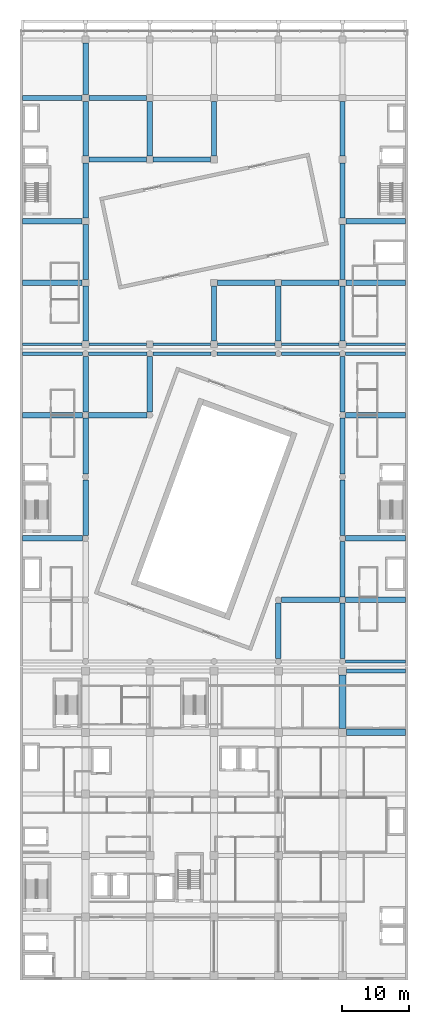
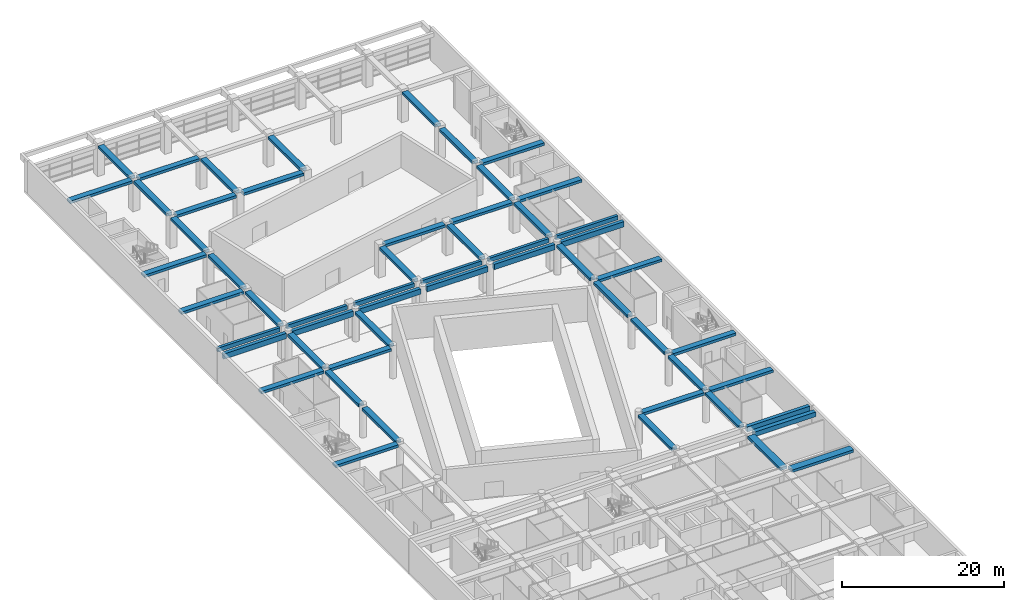
# One storey, part 2 of 31: 56 beams.
"""IFC4 building model written with IfcOpenShell, lengths in metres."""

from ifc_helpers import new_model, si_unit, direction, frame, origin, origin_2d, place, context, subcontext, project, spatial, rectangle, extrude, material, material_profile, profile_set, type_object, element, save


model = new_model("IFC4")

# Units and contexts
model_context = context("Model", 3, precision=1e-05, world=origin(), true_north=direction((0.0, 1.0)))
body_context = subcontext(model_context, "Body", "Model", "MODEL_VIEW")
ifc_project = project(units=[si_unit("LENGTHUNIT", "METRE"), si_unit("AREAUNIT", "SQUARE_METRE"), si_unit("VOLUMEUNIT", "CUBIC_METRE"), si_unit("PLANEANGLEUNIT", "RADIAN"), si_unit("MASSUNIT", "GRAM", prefix="KILO")], contexts=[model_context])

# Site, building, storey
site_placement = place(None, origin())
site = spatial("IfcSite", under=ifc_project, at=site_placement, CompositionType="ELEMENT")
building_placement = place(site_placement, origin())
building = spatial("IfcBuilding", under=site, at=building_placement, Name="Nzadi Deep Aquarium and Research Tower", CompositionType="ELEMENT")
storey_placement = place(building_placement, frame((0.0, 0.0, 21.699951171875)))
storey = spatial("IfcBuildingStorey", under=building, at=storey_placement, Name="L03", CompositionType="ELEMENT", Elevation=21.699951171875)

# Beams
ifc_material_1 = material(Name="Concrete C35/45", Category="concrete")
ifc_material_profile_1 = material_profile(ifc_material_1, rectangle(XDim=1.0, YDim=0.39990234375, at=origin_2d()))
ifc_profile_set_1 = profile_set([ifc_material_profile_1], Name="Concrete C35/45")
beam_type_1 = type_object("IfcBeamType", Name="RC 1000x400", PredefinedType="BEAM", material=ifc_profile_set_1)
beam_1_placement = place(storey_placement, frame((48.60009765625, 36.800048828125, 4.449951171875), z_axis=(1.0, 0.0, 0.0), x_axis=(0.0, 1.0, 0.0)))
element("IfcBeam", 1, at=beam_1_placement, inside=storey, type_object=beam_type_1, Name="B-Z1-L03-L5-6", PredefinedType="BEAM", context=body_context, shape_type="SweptSolid", body=[
    extrude(rectangle(XDim=1.0, YDim=0.39990234375, at=origin_2d()), origin(), (0.0, 0.0, 1.0), 8.7998046875),
])
beam_2_placement = place(storey_placement, frame((48.0, 37.39990234375, 4.449951171875), z_axis=(0.0, 1.0, 0.0), x_axis=(-1.0, 0.0, 0.0)))
element("IfcBeam", 2, at=beam_2_placement, inside=storey, type_object=beam_type_1, Name="B-Z1-L03-CF-5-1", PredefinedType="BEAM", context=body_context, shape_type="SweptSolid", body=[
    extrude(rectangle(XDim=1.0, YDim=0.39990234375, at=origin_2d()), origin(), (0.0, 0.0, 1.0), 8.0),
])
ifc_material_2 = material(Name="Concrete C35/45", Category="concrete")
ifc_material_profile_2 = material_profile(ifc_material_2, rectangle(XDim=0.39990234375, YDim=0.60009765625, at=origin_2d()))
ifc_profile_set_2 = profile_set([ifc_material_profile_2], Name="Concrete C35/45")
beam_type_2 = type_object("IfcBeamType", Name="RC 400x600", PredefinedType="BEAM", material=ifc_profile_set_2)
beam_3_placement = place(storey_placement, frame((0.199951171875, 94.800048828125, 4.35009765625), z_axis=(1.0, 0.0, 0.0), x_axis=(0.0, 1.0, 0.0)))
element("IfcBeam", 3, at=beam_3_placement, inside=storey, type_object=beam_type_2, Name="B-Z3-L03-L13-1", PredefinedType="BEAM", context=body_context, shape_type="SweptSolid", body=[
    extrude(rectangle(XDim=0.39990234375, YDim=0.60009765625, at=origin_2d()), origin(), (0.0, 0.0, 1.0), 8.900146484375),
])
beam_4_placement = place(storey_placement, frame((10.10009765625, 94.800048828125, 4.35009765625), z_axis=(1.0, 0.0, 0.0), x_axis=(0.0, 1.0, 0.0)))
element("IfcBeam", 4, at=beam_4_placement, inside=storey, type_object=beam_type_2, Name="B-Z3-L03-L13-2", PredefinedType="BEAM", context=body_context, shape_type="SweptSolid", body=[
    extrude(rectangle(XDim=0.39990234375, YDim=0.60009765625, at=origin_2d()), origin(), (0.0, 0.0, 1.0), 8.599853515625),
])
beam_5_placement = place(storey_placement, frame((19.699951171875, 94.800048828125, 4.35009765625), z_axis=(1.0, 0.0, 0.0), x_axis=(0.0, 1.0, 0.0)))
element("IfcBeam", 5, at=beam_5_placement, inside=storey, type_object=beam_type_2, Name="B-Z3-L03-L13-3", PredefinedType="BEAM", context=body_context, shape_type="SweptSolid", body=[
    extrude(rectangle(XDim=0.39990234375, YDim=0.60009765625, at=origin_2d()), origin(), (0.0, 0.0, 1.0), 8.60009765625),
])
beam_6_placement = place(storey_placement, frame((29.300048828125, 94.800048828125, 4.35009765625), z_axis=(1.0, 0.0, 0.0), x_axis=(0.0, 1.0, 0.0)))
element("IfcBeam", 6, at=beam_6_placement, inside=storey, type_object=beam_type_2, Name="B-Z3-L03-L13-4", PredefinedType="BEAM", context=body_context, shape_type="SweptSolid", body=[
    extrude(rectangle(XDim=0.39990234375, YDim=0.60009765625, at=origin_2d()), origin(), (0.0, 0.0, 1.0), 8.599853515625),
])
beam_7_placement = place(storey_placement, frame((38.89990234375, 94.800048828125, 4.35009765625), z_axis=(1.0, 0.0, 0.0), x_axis=(0.0, 1.0, 0.0)))
element("IfcBeam", 7, at=beam_7_placement, inside=storey, type_object=beam_type_2, Name="B-Z3-L03-L13-5", PredefinedType="BEAM", context=body_context, shape_type="SweptSolid", body=[
    extrude(rectangle(XDim=0.39990234375, YDim=0.60009765625, at=origin_2d()), origin(), (0.0, 0.0, 1.0), 8.60009765625),
])
beam_8_placement = place(storey_placement, frame((48.5, 94.800048828125, 4.35009765625), z_axis=(1.0, 0.0, 0.0), x_axis=(0.0, 1.0, 0.0)))
element("IfcBeam", 8, at=beam_8_placement, inside=storey, type_object=beam_type_2, Name="B-Z3-L03-L13-6", PredefinedType="BEAM", context=body_context, shape_type="SweptSolid", body=[
    extrude(rectangle(XDim=0.39990234375, YDim=0.60009765625, at=origin_2d()), origin(), (0.0, 0.0, 1.0), 8.89990234375),
])
ifc_material_3 = material(Name="Concrete C40/50", Category="concrete")
ifc_material_profile_3 = material_profile(ifc_material_3, rectangle(XDim=0.5, YDim=0.800048828125, at=origin_2d()))
ifc_profile_set_3 = profile_set([ifc_material_profile_3], Name="Concrete C40/50")
beam_type_3 = type_object("IfcBeamType", Name="RC 500x800", PredefinedType="BEAM", material=ifc_profile_set_3)
for number, where, z_axis, x_axis, name in (
    (9, (48.449951171875, 47.39990234375, 4.25), (1.0, 0.0, 0.0), (0.0, 1.0, 0.0), "B-Z2-L03-L7-6"),
    (10, (0.199951171875, 93.39990234375, 4.25), (1.0, 0.0, 0.0), (0.0, 1.0, 0.0), "B-Z2-L03-L12-1"),
):
    element("IfcBeam", number, at=place(storey_placement, frame(where, z_axis=z_axis, x_axis=x_axis)), inside=storey, type_object=beam_type_3, Name=name, PredefinedType="BEAM", context=body_context, shape_type="SweptSolid", body=[
        extrude(rectangle(XDim=0.5, YDim=0.800048828125, at=origin_2d()), origin(), (0.0, 0.0, 1.0), 8.949951171875),
    ])
beam_9_placement = place(storey_placement, frame((10.050048828125, 93.39990234375, 4.25), z_axis=(1.0, 0.0, 0.0), x_axis=(0.0, 1.0, 0.0)))
element("IfcBeam", 11, at=beam_9_placement, inside=storey, type_object=beam_type_3, Name="B-Z2-L03-L12-2", PredefinedType="BEAM", context=body_context, shape_type="SweptSolid", body=[
    extrude(rectangle(XDim=0.5, YDim=0.800048828125, at=origin_2d()), origin(), (0.0, 0.0, 1.0), 8.699951171875),
])
beam_10_placement = place(storey_placement, frame((19.64990234375, 93.39990234375, 4.25), z_axis=(1.0, 0.0, 0.0), x_axis=(0.0, 1.0, 0.0)))
element("IfcBeam", 12, at=beam_10_placement, inside=storey, type_object=beam_type_3, Name="B-Z2-L03-L12-3", PredefinedType="BEAM", context=body_context, shape_type="SweptSolid", body=[
    extrude(rectangle(XDim=0.5, YDim=0.800048828125, at=origin_2d()), origin(), (0.0, 0.0, 1.0), 8.7001953125),
])
for number, where, z_axis, x_axis, name in (
    (13, (29.25, 93.39990234375, 4.25), (1.0, 0.0, 0.0), (0.0, 1.0, 0.0), "B-Z2-L03-L12-4"),
    (14, (38.85009765625, 93.39990234375, 4.25), (1.0, 0.0, 0.0), (0.0, 1.0, 0.0), "B-Z2-L03-L12-5"),
):
    element("IfcBeam", number, at=place(storey_placement, frame(where, z_axis=z_axis, x_axis=x_axis)), inside=storey, type_object=beam_type_3, Name=name, PredefinedType="BEAM", context=body_context, shape_type="SweptSolid", body=[
        extrude(rectangle(XDim=0.5, YDim=0.800048828125, at=origin_2d()), origin(), (0.0, 0.0, 1.0), 8.699951171875),
    ])
beam_11_placement = place(storey_placement, frame((48.449951171875, 93.39990234375, 4.25), z_axis=(1.0, 0.0, 0.0), x_axis=(0.0, 1.0, 0.0)))
element("IfcBeam", 15, at=beam_11_placement, inside=storey, type_object=beam_type_3, Name="B-Z2-L03-L12-6", PredefinedType="BEAM", context=body_context, shape_type="SweptSolid", body=[
    extrude(rectangle(XDim=0.5, YDim=0.800048828125, at=origin_2d()), origin(), (0.0, 0.0, 1.0), 8.949951171875),
])
ifc_material_4 = material(Name="Concrete C35/45", Category="concrete")
ifc_material_profile_4 = material_profile(ifc_material_4, rectangle(XDim=0.60009765625, YDim=0.699951171875, at=origin_2d()))
ifc_profile_set_4 = profile_set([ifc_material_profile_4], Name="Concrete C35/45")
beam_type_4 = type_object("IfcBeamType", Name="RC 600x700", PredefinedType="BEAM", material=ifc_profile_set_4)
beam_12_placement = place(storey_placement, frame((48.60009765625, 46.0, 4.300048828125), z_axis=(1.0, 0.0, 0.0), x_axis=(0.0, 1.0, 0.0)))
element("IfcBeam", 16, at=beam_12_placement, inside=storey, type_object=beam_type_4, Name="B-Z1-L03-L6-6", PredefinedType="BEAM", context=body_context, shape_type="SweptSolid", body=[
    extrude(rectangle(XDim=0.60009765625, YDim=0.699951171875, at=origin_2d()), origin(), (0.0, 0.0, 1.0), 8.7998046875),
])
ifc_material_5 = material(Name="Concrete C35/45", Category="concrete")
ifc_material_profile_5 = material_profile(ifc_material_5, rectangle(XDim=0.800048828125, YDim=0.39990234375, at=origin_2d()))
ifc_profile_set_5 = profile_set([ifc_material_profile_5], Name="Concrete C35/45")
beam_type_5 = type_object("IfcBeamType", Name="RC 800x400", PredefinedType="BEAM", material=ifc_profile_set_5)
beam_13_placement = place(storey_placement, frame((38.85009765625, 56.60009765625, 4.449951171875), z_axis=(1.0, 0.0, 0.0), x_axis=(0.0, 1.0, 0.0)))
element("IfcBeam", 17, at=beam_13_placement, inside=storey, type_object=beam_type_5, Name="B-Z2-L03-L8-5", PredefinedType="BEAM", context=body_context, shape_type="SweptSolid", body=[
    extrude(rectangle(XDim=0.800048828125, YDim=0.39990234375, at=origin_2d()), origin(), (0.0, 0.0, 1.0), 8.699951171875),
])
for number, where, z_axis, x_axis, name in (
    (18, (48.449951171875, 56.60009765625, 4.449951171875), (1.0, 0.0, 0.0), (0.0, 1.0, 0.0), "B-Z2-L03-L8-6"),
    (19, (0.199951171875, 65.800048828125, 4.449951171875), (1.0, 0.0, 0.0), (0.0, 1.0, 0.0), "B-Z2-L03-L9-1"),
    (20, (48.449951171875, 65.800048828125, 4.449951171875), (1.0, 0.0, 0.0), (0.0, 1.0, 0.0), "B-Z2-L03-L9-6"),
    (21, (0.199951171875, 84.199951171875, 4.449951171875), (1.0, 0.0, 0.0), (0.0, 1.0, 0.0), "B-Z2-L03-L11-1"),
):
    element("IfcBeam", number, at=place(storey_placement, frame(where, z_axis=z_axis, x_axis=x_axis)), inside=storey, type_object=beam_type_5, Name=name, PredefinedType="BEAM", context=body_context, shape_type="SweptSolid", body=[
        extrude(rectangle(XDim=0.800048828125, YDim=0.39990234375, at=origin_2d()), origin(), (0.0, 0.0, 1.0), 8.949951171875),
    ])
beam_14_placement = place(storey_placement, frame((10.050048828125, 84.199951171875, 4.449951171875), z_axis=(1.0, 0.0, 0.0), x_axis=(0.0, 1.0, 0.0)))
element("IfcBeam", 22, at=beam_14_placement, inside=storey, type_object=beam_type_5, Name="B-Z2-L03-L11-2", PredefinedType="BEAM", context=body_context, shape_type="SweptSolid", body=[
    extrude(rectangle(XDim=0.800048828125, YDim=0.39990234375, at=origin_2d()), origin(), (0.0, 0.0, 1.0), 8.699951171875),
])
beam_15_placement = place(storey_placement, frame((48.449951171875, 84.199951171875, 4.449951171875), z_axis=(1.0, 0.0, 0.0), x_axis=(0.0, 1.0, 0.0)))
element("IfcBeam", 23, at=beam_15_placement, inside=storey, type_object=beam_type_5, Name="B-Z2-L03-L11-6", PredefinedType="BEAM", context=body_context, shape_type="SweptSolid", body=[
    extrude(rectangle(XDim=0.800048828125, YDim=0.39990234375, at=origin_2d()), origin(), (0.0, 0.0, 1.0), 8.949951171875),
])
beam_16_placement = place(storey_placement, frame((0.199951171875, 104.0, 4.449951171875), z_axis=(1.0, 0.0, 0.0), x_axis=(0.0, 1.0, 0.0)))
element("IfcBeam", 24, at=beam_16_placement, inside=storey, type_object=beam_type_5, Name="B-Z3-L03-L14-1", PredefinedType="BEAM", context=body_context, shape_type="SweptSolid", body=[
    extrude(rectangle(XDim=0.800048828125, YDim=0.39990234375, at=origin_2d()), origin(), (0.0, 0.0, 1.0), 8.900146484375),
])
beam_17_placement = place(storey_placement, frame((29.300048828125, 104.0, 4.449951171875), z_axis=(1.0, 0.0, 0.0), x_axis=(0.0, 1.0, 0.0)))
element("IfcBeam", 25, at=beam_17_placement, inside=storey, type_object=beam_type_5, Name="B-Z3-L03-L14-4", PredefinedType="BEAM", context=body_context, shape_type="SweptSolid", body=[
    extrude(rectangle(XDim=0.800048828125, YDim=0.39990234375, at=origin_2d()), origin(), (0.0, 0.0, 1.0), 8.599853515625),
])
beam_18_placement = place(storey_placement, frame((38.89990234375, 104.0, 4.449951171875), z_axis=(1.0, 0.0, 0.0), x_axis=(0.0, 1.0, 0.0)))
element("IfcBeam", 26, at=beam_18_placement, inside=storey, type_object=beam_type_5, Name="B-Z3-L03-L14-5", PredefinedType="BEAM", context=body_context, shape_type="SweptSolid", body=[
    extrude(rectangle(XDim=0.800048828125, YDim=0.39990234375, at=origin_2d()), origin(), (0.0, 0.0, 1.0), 8.60009765625),
])
beam_19_placement = place(storey_placement, frame((48.5, 104.0, 4.449951171875), z_axis=(1.0, 0.0, 0.0), x_axis=(0.0, 1.0, 0.0)))
element("IfcBeam", 27, at=beam_19_placement, inside=storey, type_object=beam_type_5, Name="B-Z3-L03-L14-6", PredefinedType="BEAM", context=body_context, shape_type="SweptSolid", body=[
    extrude(rectangle(XDim=0.800048828125, YDim=0.39990234375, at=origin_2d()), origin(), (0.0, 0.0, 1.0), 8.89990234375),
])
beam_20_placement = place(storey_placement, frame((0.199951171875, 113.199951171875, 4.449951171875), z_axis=(1.0, 0.0, 0.0), x_axis=(0.0, 1.0, 0.0)))
element("IfcBeam", 28, at=beam_20_placement, inside=storey, type_object=beam_type_5, Name="B-Z3-L03-L15-1", PredefinedType="BEAM", context=body_context, shape_type="SweptSolid", body=[
    extrude(rectangle(XDim=0.800048828125, YDim=0.39990234375, at=origin_2d()), origin(), (0.0, 0.0, 1.0), 8.900146484375),
])
beam_21_placement = place(storey_placement, frame((48.5, 113.199951171875, 4.449951171875), z_axis=(1.0, 0.0, 0.0), x_axis=(0.0, 1.0, 0.0)))
element("IfcBeam", 29, at=beam_21_placement, inside=storey, type_object=beam_type_5, Name="B-Z3-L03-L15-6", PredefinedType="BEAM", context=body_context, shape_type="SweptSolid", body=[
    extrude(rectangle(XDim=0.800048828125, YDim=0.39990234375, at=origin_2d()), origin(), (0.0, 0.0, 1.0), 8.89990234375),
])
beam_22_placement = place(storey_placement, frame((10.10009765625, 122.39990234375, 4.449951171875), z_axis=(1.0, 0.0, 0.0), x_axis=(0.0, 1.0, 0.0)))
element("IfcBeam", 30, at=beam_22_placement, inside=storey, type_object=beam_type_5, Name="B-Z3-L03-L16-2", PredefinedType="BEAM", context=body_context, shape_type="SweptSolid", body=[
    extrude(rectangle(XDim=0.800048828125, YDim=0.39990234375, at=origin_2d()), origin(), (0.0, 0.0, 1.0), 8.599853515625),
])
beam_23_placement = place(storey_placement, frame((19.699951171875, 122.39990234375, 4.449951171875), z_axis=(1.0, 0.0, 0.0), x_axis=(0.0, 1.0, 0.0)))
element("IfcBeam", 31, at=beam_23_placement, inside=storey, type_object=beam_type_5, Name="B-Z3-L03-L16-3", PredefinedType="BEAM", context=body_context, shape_type="SweptSolid", body=[
    extrude(rectangle(XDim=0.800048828125, YDim=0.39990234375, at=origin_2d()), origin(), (0.0, 0.0, 1.0), 8.60009765625),
])
beam_24_placement = place(storey_placement, frame((0.199951171875, 131.60009765625, 4.449951171875), z_axis=(1.0, 0.0, 0.0), x_axis=(0.0, 1.0, 0.0)))
element("IfcBeam", 32, at=beam_24_placement, inside=storey, type_object=beam_type_5, Name="B-Z3-L03-L17-1", PredefinedType="BEAM", context=body_context, shape_type="SweptSolid", body=[
    extrude(rectangle(XDim=0.800048828125, YDim=0.39990234375, at=origin_2d()), origin(), (0.0, 0.0, 1.0), 8.900146484375),
])
beam_25_placement = place(storey_placement, frame((10.10009765625, 131.60009765625, 4.449951171875), z_axis=(1.0, 0.0, 0.0), x_axis=(0.0, 1.0, 0.0)))
element("IfcBeam", 33, at=beam_25_placement, inside=storey, type_object=beam_type_5, Name="B-Z3-L03-L17-2", PredefinedType="BEAM", context=body_context, shape_type="SweptSolid", body=[
    extrude(rectangle(XDim=0.800048828125, YDim=0.39990234375, at=origin_2d()), origin(), (0.0, 0.0, 1.0), 8.599853515625),
])
for number, where, z_axis, x_axis, name in (
    (34, (9.60009765625, 66.25, 4.449951171875), (0.0, 1.0, 0.0), (-1.0, 0.0, 0.0), "B-Z2-L03-CB-3-7"),
    (35, (9.60009765625, 75.449951171875, 4.449951171875), (0.0, 1.0, 0.0), (-1.0, 0.0, 0.0), "B-Z2-L03-CB-4-7"),
    (36, (9.60009765625, 84.64990234375, 4.449951171875), (0.0, 1.0, 0.0), (-1.0, 0.0, 0.0), "B-Z2-L03-CB-5-7"),
    (37, (19.199951171875, 84.64990234375, 4.449951171875), (0.0, 1.0, 0.0), (-1.0, 0.0, 0.0), "B-Z2-L03-CC-5-7"),
):
    element("IfcBeam", number, at=place(storey_placement, frame(where, z_axis=z_axis, x_axis=x_axis)), inside=storey, type_object=beam_type_5, Name=name, PredefinedType="BEAM", context=body_context, shape_type="SweptSolid", body=[
        extrude(rectangle(XDim=0.800048828125, YDim=0.39990234375, at=origin_2d()), origin(), (0.0, 0.0, 1.0), 8.300048828125),
    ])
for number, where, z_axis, x_axis, name in (
    (38, (38.39990234375, 47.85009765625, 4.449951171875), (0.0, 1.0, 0.0), (-1.0, 0.0, 0.0), "B-Z2-L03-CE-1-7"),
    (39, (48.0, 47.85009765625, 4.449951171875), (0.0, 1.0, 0.0), (-1.0, 0.0, 0.0), "B-Z2-L03-CF-1-7"),
):
    element("IfcBeam", number, at=place(storey_placement, frame(where, z_axis=z_axis, x_axis=x_axis)), inside=storey, type_object=beam_type_5, Name=name, PredefinedType="BEAM", context=body_context, shape_type="SweptSolid", body=[
        extrude(rectangle(XDim=0.800048828125, YDim=0.39990234375, at=origin_2d()), origin(), (0.0, 0.0, 1.0), 8.2998046875),
    ])
for number, where, z_axis, x_axis, name in (
    (40, (48.0, 57.050048828125, 4.449951171875), (0.0, 1.0, 0.0), (-1.0, 0.0, 0.0), "B-Z2-L03-CF-2-7"),
    (41, (48.0, 66.25, 4.449951171875), (0.0, 1.0, 0.0), (-1.0, 0.0, 0.0), "B-Z2-L03-CF-3-7"),
    (42, (48.0, 75.449951171875, 4.449951171875), (0.0, 1.0, 0.0), (-1.0, 0.0, 0.0), "B-Z2-L03-CF-4-7"),
    (43, (48.0, 84.64990234375, 4.449951171875), (0.0, 1.0, 0.0), (-1.0, 0.0, 0.0), "B-Z2-L03-CF-5-7"),
):
    element("IfcBeam", number, at=place(storey_placement, frame(where, z_axis=z_axis, x_axis=x_axis)), inside=storey, type_object=beam_type_5, Name=name, PredefinedType="BEAM", context=body_context, shape_type="SweptSolid", body=[
        extrude(rectangle(XDim=0.800048828125, YDim=0.39990234375, at=origin_2d()), origin(), (0.0, 0.0, 1.0), 8.300048828125),
    ])
for number, where, z_axis, x_axis, name in (
    (44, (9.60009765625, 95.300048828125, 4.449951171875), (0.0, 1.0, 0.0), (-1.0, 0.0, 0.0), "B-Z3-L03-CB-1-13"),
    (45, (9.60009765625, 104.5, 4.449951171875), (0.0, 1.0, 0.0), (-1.0, 0.0, 0.0), "B-Z3-L03-CB-2-13"),
    (46, (9.60009765625, 113.699951171875, 4.449951171875), (0.0, 1.0, 0.0), (-1.0, 0.0, 0.0), "B-Z3-L03-CB-3-13"),
):
    element("IfcBeam", number, at=place(storey_placement, frame(where, z_axis=z_axis, x_axis=x_axis)), inside=storey, type_object=beam_type_5, Name=name, PredefinedType="BEAM", context=body_context, shape_type="SweptSolid", body=[
        extrude(rectangle(XDim=0.800048828125, YDim=0.39990234375, at=origin_2d()), origin(), (0.0, 0.0, 1.0), 8.199951171875),
    ])
beam_26_placement = place(storey_placement, frame((9.60009765625, 122.89990234375, 4.449951171875), z_axis=(0.0, 1.0, 0.0), x_axis=(-1.0, 0.0, 0.0)))
element("IfcBeam", 47, at=beam_26_placement, inside=storey, type_object=beam_type_5, Name="B-Z3-L03-CB-4-13", PredefinedType="BEAM", context=body_context, shape_type="SweptSolid", body=[
    extrude(rectangle(XDim=0.800048828125, YDim=0.39990234375, at=origin_2d()), origin(), (0.0, 0.0, 1.0), 8.2001953125),
])
beam_27_placement = place(storey_placement, frame((9.60009765625, 132.10009765625, 4.449951171875), z_axis=(0.0, 1.0, 0.0), x_axis=(-1.0, 0.0, 0.0)))
element("IfcBeam", 48, at=beam_27_placement, inside=storey, type_object=beam_type_5, Name="B-Z3-L03-CB-5-13", PredefinedType="BEAM", context=body_context, shape_type="SweptSolid", body=[
    extrude(rectangle(XDim=0.800048828125, YDim=0.39990234375, at=origin_2d()), origin(), (0.0, 0.0, 1.0), 7.75),
])
beam_28_placement = place(storey_placement, frame((19.199951171875, 122.89990234375, 4.449951171875), z_axis=(0.0, 1.0, 0.0), x_axis=(-1.0, 0.0, 0.0)))
element("IfcBeam", 49, at=beam_28_placement, inside=storey, type_object=beam_type_5, Name="B-Z3-L03-CC-4-13", PredefinedType="BEAM", context=body_context, shape_type="SweptSolid", body=[
    extrude(rectangle(XDim=0.800048828125, YDim=0.39990234375, at=origin_2d()), origin(), (0.0, 0.0, 1.0), 8.2001953125),
])
beam_29_placement = place(storey_placement, frame((28.800048828125, 95.300048828125, 4.449951171875), z_axis=(0.0, 1.0, 0.0), x_axis=(-1.0, 0.0, 0.0)))
element("IfcBeam", 50, at=beam_29_placement, inside=storey, type_object=beam_type_5, Name="B-Z3-L03-CD-1-13", PredefinedType="BEAM", context=body_context, shape_type="SweptSolid", body=[
    extrude(rectangle(XDim=0.800048828125, YDim=0.39990234375, at=origin_2d()), origin(), (0.0, 0.0, 1.0), 8.199951171875),
])
beam_30_placement = place(storey_placement, frame((28.800048828125, 122.89990234375, 4.449951171875), z_axis=(0.0, 1.0, 0.0), x_axis=(-1.0, 0.0, 0.0)))
element("IfcBeam", 51, at=beam_30_placement, inside=storey, type_object=beam_type_5, Name="B-Z3-L03-CD-4-13", PredefinedType="BEAM", context=body_context, shape_type="SweptSolid", body=[
    extrude(rectangle(XDim=0.800048828125, YDim=0.39990234375, at=origin_2d()), origin(), (0.0, 0.0, 1.0), 8.2001953125),
])
for number, where, z_axis, x_axis, name in (
    (52, (38.39990234375, 95.300048828125, 4.449951171875), (0.0, 1.0, 0.0), (-1.0, 0.0, 0.0), "B-Z3-L03-CE-1-13"),
    (53, (48.0, 95.300048828125, 4.449951171875), (0.0, 1.0, 0.0), (-1.0, 0.0, 0.0), "B-Z3-L03-CF-1-13"),
    (54, (48.0, 104.5, 4.449951171875), (0.0, 1.0, 0.0), (-1.0, 0.0, 0.0), "B-Z3-L03-CF-2-13"),
    (55, (48.0, 113.699951171875, 4.449951171875), (0.0, 1.0, 0.0), (-1.0, 0.0, 0.0), "B-Z3-L03-CF-3-13"),
):
    element("IfcBeam", number, at=place(storey_placement, frame(where, z_axis=z_axis, x_axis=x_axis)), inside=storey, type_object=beam_type_5, Name=name, PredefinedType="BEAM", context=body_context, shape_type="SweptSolid", body=[
        extrude(rectangle(XDim=0.800048828125, YDim=0.39990234375, at=origin_2d()), origin(), (0.0, 0.0, 1.0), 8.199951171875),
    ])
beam_31_placement = place(storey_placement, frame((48.0, 122.89990234375, 4.449951171875), z_axis=(0.0, 1.0, 0.0), x_axis=(-1.0, 0.0, 0.0)))
element("IfcBeam", 56, at=beam_31_placement, inside=storey, type_object=beam_type_5, Name="B-Z3-L03-CF-4-13", PredefinedType="BEAM", context=body_context, shape_type="SweptSolid", body=[
    extrude(rectangle(XDim=0.800048828125, YDim=0.39990234375, at=origin_2d()), origin(), (0.0, 0.0, 1.0), 8.2001953125),
])

save(model, "model.ifc")
